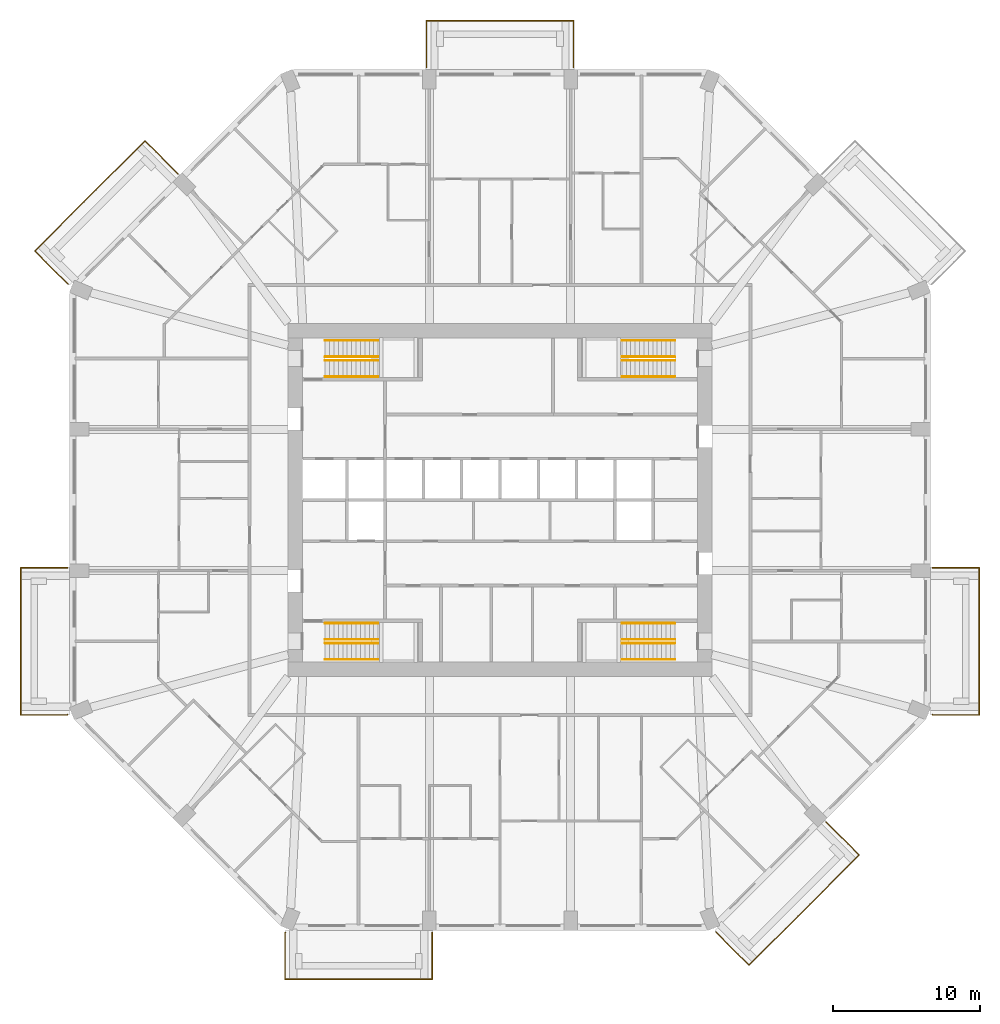
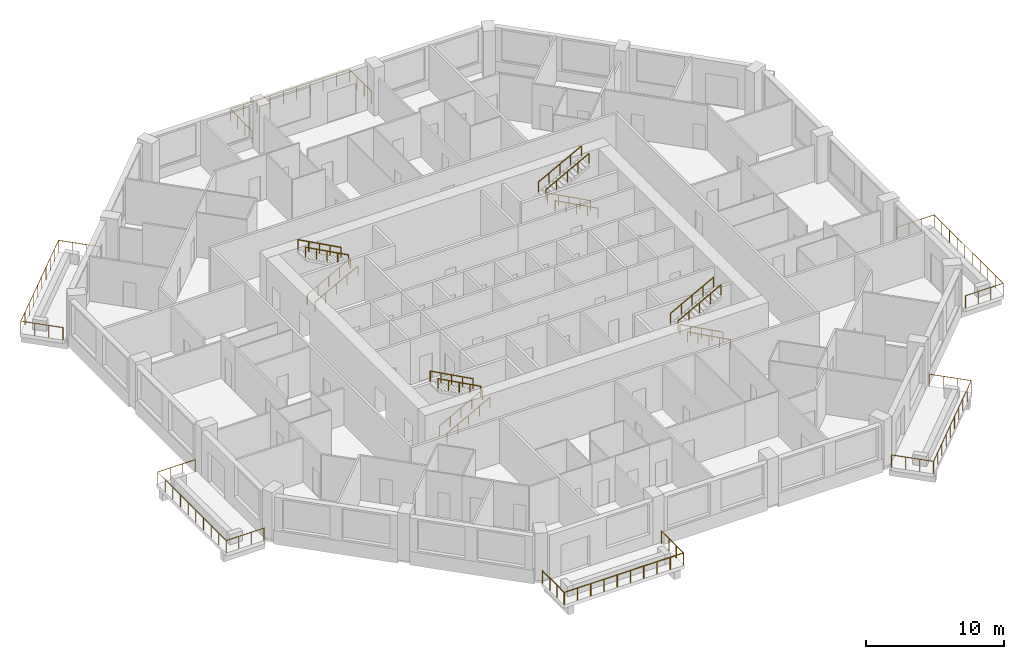
# One storey, part 12 of 13: 22 railings.
"""IFC4 building model written with IfcOpenShell, lengths in metres."""

from ifc_helpers import new_model, si_unit, direction, frame, origin, origin_2d, place, context, subcontext, project, spatial, circle, extrude, material, constituent, constituent_set, type_object, element, save


model = new_model("IFC4")

# Units and contexts
model_context = context("Model", 3, precision=1e-05, world=origin(), true_north=direction((0.0, 1.0)))
body_context = subcontext(model_context, "Body", "Model", "MODEL_VIEW")
ifc_project = project(units=[si_unit("LENGTHUNIT", "METRE"), si_unit("AREAUNIT", "SQUARE_METRE"), si_unit("VOLUMEUNIT", "CUBIC_METRE"), si_unit("PLANEANGLEUNIT", "RADIAN"), si_unit("MASSUNIT", "GRAM", prefix="KILO")], contexts=[model_context])

# Site, building, storey
site_placement = place(None, origin())
site = spatial("IfcSite", under=ifc_project, at=site_placement, CompositionType="ELEMENT")
building_placement = place(site_placement, origin())
building = spatial("IfcBuilding", under=site, at=building_placement, Name="Msitu Wima Residences", CompositionType="ELEMENT")
storey_placement = place(building_placement, frame((0.0, 0.0, 50.699951171875)))
storey = spatial("IfcBuildingStorey", under=building, at=storey_placement, Name="L11", CompositionType="ELEMENT", Elevation=50.699951171875)

# Railings
ifc_material_1 = material(Name="Steel S355", Category="steel")
ifc_constituent_1 = constituent(ifc_material_1, Name="Steel S355")
ifc_material_2 = material(Name="Weathering patina")
ifc_constituent_2 = constituent(ifc_material_2, Name="Weathering patina")
ifc_constituent_set_1 = constituent_set(constituents=[ifc_constituent_1, ifc_constituent_2], Name="Steel S355")
railing_type_1 = type_object("IfcRailingType", Name="Balcony guard GR1100", PredefinedType="GUARDRAIL", material=ifc_constituent_set_1)
railing_1_placement = place(storey_placement, frame((29.3798828125, -4.60009765625, 0.0)))
element("IfcRailing", 1, at=railing_1_placement, inside=storey, type_object=railing_type_1, Name="Balcony guard E0 L11", PredefinedType="GUARDRAIL", context=body_context, shape_type="SweptSolid", body=[
    extrude(circle(Radius=0.02392578125, at=origin_2d()), frame((0.0, 0.0, 1.076171875), z_axis=(1.0, 0.0, 0.0), x_axis=(0.0, 1.0, 0.0)), (0.0, 0.0, 1.0), 3.170166015625),
    extrude(circle(Radius=0.02392578125, at=origin_2d()), frame((3.170166015625, 0.0, 1.076171875), z_axis=(0.0, -1.0, 0.0), x_axis=(1.0, 0.0, 0.0)), (0.0, 0.0, 1.0), 10.0),
    extrude(circle(Radius=0.02392578125, at=origin_2d()), frame((3.170166015625, -10.0, 1.076171875), z_axis=(-1.0, 0.0, 0.0), x_axis=(0.0, -1.0, 0.0)), (0.0, 0.0, 1.0), 3.136474609375),
    extrude(circle(Radius=0.02392578125, at=origin_2d()), frame((0.03369140625, -10.0, 1.076171875), z_axis=(-0.92426142649, 0.38176015442, 0.0), x_axis=(-0.38176015442, -0.92426142649, 0.0)), (0.0, 0.0, 1.0), 0.036376953125),
    extrude(circle(Radius=0.02099609375, at=origin_2d()), origin(), (0.0, 0.0, 1.0), 1.052001953125),
    extrude(circle(Radius=0.02099609375, at=origin_2d()), frame((1.056640625, 0.0, 0.0)), (0.0, 0.0, 1.0), 1.052001953125),
    extrude(circle(Radius=0.02099609375, at=origin_2d()), frame((2.113525390625, 0.0, 0.0)), (0.0, 0.0, 1.0), 1.052001953125),
    extrude(circle(Radius=0.02099609375, at=origin_2d()), frame((3.170166015625, 0.0, 0.0)), (0.0, 0.0, 1.0), 1.052001953125),
    extrude(circle(Radius=0.02099609375, at=origin_2d()), frame((3.170166015625, -1.111083984375, 0.0)), (0.0, 0.0, 1.0), 1.052001953125),
    extrude(circle(Radius=0.02099609375, at=origin_2d()), frame((3.170166015625, -2.22216796875, 0.0)), (0.0, 0.0, 1.0), 1.052001953125),
    extrude(circle(Radius=0.02099609375, at=origin_2d()), frame((3.170166015625, -3.333251953125, 0.0)), (0.0, 0.0, 1.0), 1.052001953125),
    extrude(circle(Radius=0.02099609375, at=origin_2d()), frame((3.170166015625, -4.4443359375, 0.0)), (0.0, 0.0, 1.0), 1.052001953125),
    extrude(circle(Radius=0.02099609375, at=origin_2d()), frame((3.170166015625, -5.5556640625, 0.0)), (0.0, 0.0, 1.0), 1.052001953125),
    extrude(circle(Radius=0.02099609375, at=origin_2d()), frame((3.170166015625, -6.666748046875, 0.0)), (0.0, 0.0, 1.0), 1.052001953125),
    extrude(circle(Radius=0.02099609375, at=origin_2d()), frame((3.170166015625, -7.77783203125, 0.0)), (0.0, 0.0, 1.0), 1.052001953125),
    extrude(circle(Radius=0.02099609375, at=origin_2d()), frame((3.170166015625, -8.888916015625, 0.0)), (0.0, 0.0, 1.0), 1.052001953125),
    extrude(circle(Radius=0.02099609375, at=origin_2d()), frame((3.170166015625, -10.0, 0.0)), (0.0, 0.0, 1.0), 1.052001953125),
    extrude(circle(Radius=0.02099609375, at=origin_2d()), frame((2.124755859375, -10.0, 0.0)), (0.0, 0.0, 1.0), 1.052001953125),
    extrude(circle(Radius=0.02099609375, at=origin_2d()), frame((1.0791015625, -10.0, 0.0)), (0.0, 0.0, 1.0), 1.052001953125),
    extrude(circle(Radius=0.02099609375, at=origin_2d()), frame((0.03369140625, -10.0, 0.0)), (0.0, 0.0, 1.0), 1.052001953125),
    extrude(circle(Radius=0.02099609375, at=origin_2d()), frame((0.0, -9.986083984375, 0.0)), (0.0, 0.0, 1.0), 1.052001953125),
])
railing_2_placement = place(storey_placement, frame((-5.0, 29.3798828125, 0.0)))
element("IfcRailing", 2, at=railing_2_placement, inside=storey, type_object=railing_type_1, Name="Balcony guard N1 L11", PredefinedType="GUARDRAIL", context=body_context, shape_type="SweptSolid", body=[
    extrude(circle(Radius=0.02392578125, at=origin_2d()), frame((0.0, 0.0, 1.076171875), z_axis=(0.0, 1.0, 0.0), x_axis=(-1.0, 0.0, 0.0)), (0.0, 0.0, 1.0), 3.170166015625),
    extrude(circle(Radius=0.02392578125, at=origin_2d()), frame((0.0, 3.170166015625, 1.076171875), z_axis=(1.0, 0.0, 0.0), x_axis=(0.0, 1.0, 0.0)), (0.0, 0.0, 1.0), 10.0),
    extrude(circle(Radius=0.02392578125, at=origin_2d()), frame((10.0, 3.170166015625, 1.076171875), z_axis=(0.0, -1.0, 0.0), x_axis=(1.0, 0.0, 0.0)), (0.0, 0.0, 1.0), 3.170166015625),
    extrude(circle(Radius=0.02099609375, at=origin_2d()), origin(), (0.0, 0.0, 1.0), 1.052001953125),
    extrude(circle(Radius=0.02099609375, at=origin_2d()), frame((0.0, 1.056640625, 0.0)), (0.0, 0.0, 1.0), 1.052001953125),
    extrude(circle(Radius=0.02099609375, at=origin_2d()), frame((0.0, 2.113525390625, 0.0)), (0.0, 0.0, 1.0), 1.052001953125),
    extrude(circle(Radius=0.02099609375, at=origin_2d()), frame((0.0, 3.170166015625, 0.0)), (0.0, 0.0, 1.0), 1.052001953125),
    extrude(circle(Radius=0.02099609375, at=origin_2d()), frame((1.111083984375, 3.170166015625, 0.0)), (0.0, 0.0, 1.0), 1.052001953125),
    extrude(circle(Radius=0.02099609375, at=origin_2d()), frame((2.22216796875, 3.170166015625, 0.0)), (0.0, 0.0, 1.0), 1.052001953125),
    extrude(circle(Radius=0.02099609375, at=origin_2d()), frame((3.333251953125, 3.170166015625, 0.0)), (0.0, 0.0, 1.0), 1.052001953125),
    extrude(circle(Radius=0.02099609375, at=origin_2d()), frame((4.4443359375, 3.170166015625, 0.0)), (0.0, 0.0, 1.0), 1.052001953125),
    extrude(circle(Radius=0.02099609375, at=origin_2d()), frame((5.5556640625, 3.170166015625, 0.0)), (0.0, 0.0, 1.0), 1.052001953125),
    extrude(circle(Radius=0.02099609375, at=origin_2d()), frame((6.666748046875, 3.170166015625, 0.0)), (0.0, 0.0, 1.0), 1.052001953125),
    extrude(circle(Radius=0.02099609375, at=origin_2d()), frame((7.77783203125, 3.170166015625, 0.0)), (0.0, 0.0, 1.0), 1.052001953125),
    extrude(circle(Radius=0.02099609375, at=origin_2d()), frame((8.888916015625, 3.170166015625, 0.0)), (0.0, 0.0, 1.0), 1.052001953125),
    extrude(circle(Radius=0.02099609375, at=origin_2d()), frame((10.0, 3.170166015625, 0.0)), (0.0, 0.0, 1.0), 1.052001953125),
    extrude(circle(Radius=0.02099609375, at=origin_2d()), frame((10.0, 2.113525390625, 0.0)), (0.0, 0.0, 1.0), 1.052001953125),
    extrude(circle(Radius=0.02099609375, at=origin_2d()), frame((10.0, 1.056640625, 0.0)), (0.0, 0.0, 1.0), 1.052001953125),
    extrude(circle(Radius=0.02099609375, at=origin_2d()), frame((10.0, 0.0, 0.0)), (0.0, 0.0, 1.0), 1.052001953125),
])
railing_3_placement = place(storey_placement, frame((-29.341796875, 14.678466796875, 0.0)))
element("IfcRailing", 3, at=railing_3_placement, inside=storey, type_object=railing_type_1, Name="Balcony guard NW1 L11", PredefinedType="GUARDRAIL", context=body_context, shape_type="SweptSolid", body=[
    extrude(circle(Radius=0.02392578125, at=origin_2d()), frame((0.0, 0.0, 1.076171875), z_axis=(-0.923276184907, 0.384136806859, 0.0), x_axis=(-0.384136806859, -0.923276184907, 0.0)), (0.0, 0.0, 1.0), 0.0361328125),
    extrude(circle(Radius=0.02392578125, at=origin_2d()), frame((-0.033447265625, 0.013916015625, 1.076171875), z_axis=(-0.707106781187, 0.707106781187, 0.0), x_axis=(-0.707106781187, -0.707106781187, 0.0)), (0.0, 0.0, 1.0), 3.136474609375),
    extrude(circle(Radius=0.02392578125, at=origin_2d()), frame((-2.251220703125, 2.231689453125, 1.076171875), z_axis=(0.70709524572, 0.707118316465, 0.0), x_axis=(-0.707118316465, 0.70709524572, 0.0)), (0.0, 0.0, 1.0), 10.582275390625),
    extrude(circle(Radius=0.02392578125, at=origin_2d()), frame((5.2314453125, 9.714599609375, 1.076171875), z_axis=(0.707145287287, -0.707068272989, 0.0), x_axis=(0.707068272989, 0.707145287287, 0.0)), (0.0, 0.0, 1.0), 3.170166015625),
    extrude(circle(Radius=0.02099609375, at=origin_2d()), origin(), (0.0, 0.0, 1.0), 1.052001953125),
    extrude(circle(Radius=0.02099609375, at=origin_2d()), frame((-0.033447265625, 0.013916015625, 0.0)), (0.0, 0.0, 1.0), 1.052001953125),
    extrude(circle(Radius=0.02099609375, at=origin_2d()), frame((-0.772705078125, 0.753173828125, 0.0)), (0.0, 0.0, 1.0), 1.052001953125),
    extrude(circle(Radius=0.02099609375, at=origin_2d()), frame((-1.511962890625, 1.492431640625, 0.0)), (0.0, 0.0, 1.0), 1.052001953125),
    extrude(circle(Radius=0.02099609375, at=origin_2d()), frame((-2.251220703125, 2.231689453125, 0.0)), (0.0, 0.0, 1.0), 1.052001953125),
    extrude(circle(Radius=0.02099609375, at=origin_2d()), frame((-1.419921875, 3.063232421875, 0.0)), (0.0, 0.0, 1.0), 1.052001953125),
    extrude(circle(Radius=0.02099609375, at=origin_2d()), frame((-0.58837890625, 3.89453125, 0.0)), (0.0, 0.0, 1.0), 1.052001953125),
    extrude(circle(Radius=0.02099609375, at=origin_2d()), frame((0.242919921875, 4.72607421875, 0.0)), (0.0, 0.0, 1.0), 1.052001953125),
    extrude(circle(Radius=0.02099609375, at=origin_2d()), frame((1.074462890625, 5.557373046875, 0.0)), (0.0, 0.0, 1.0), 1.052001953125),
    extrude(circle(Radius=0.02099609375, at=origin_2d()), frame((1.90576171875, 6.388916015625, 0.0)), (0.0, 0.0, 1.0), 1.052001953125),
    extrude(circle(Radius=0.02099609375, at=origin_2d()), frame((2.7373046875, 7.22021484375, 0.0)), (0.0, 0.0, 1.0), 1.052001953125),
    extrude(circle(Radius=0.02099609375, at=origin_2d()), frame((3.568603515625, 8.0517578125, 0.0)), (0.0, 0.0, 1.0), 1.052001953125),
    extrude(circle(Radius=0.02099609375, at=origin_2d()), frame((4.400146484375, 8.883056640625, 0.0)), (0.0, 0.0, 1.0), 1.052001953125),
    extrude(circle(Radius=0.02099609375, at=origin_2d()), frame((5.2314453125, 9.714599609375, 0.0)), (0.0, 0.0, 1.0), 1.052001953125),
    extrude(circle(Radius=0.02099609375, at=origin_2d()), frame((5.978759765625, 8.967529296875, 0.0)), (0.0, 0.0, 1.0), 1.052001953125),
    extrude(circle(Radius=0.02099609375, at=origin_2d()), frame((6.725830078125, 8.22021484375, 0.0)), (0.0, 0.0, 1.0), 1.052001953125),
    extrude(circle(Radius=0.02099609375, at=origin_2d()), frame((7.47314453125, 7.47314453125, 0.0)), (0.0, 0.0, 1.0), 1.052001953125),
])
railing_4_placement = place(storey_placement, frame((-29.3798828125, -14.586181640625, 0.0)))
element("IfcRailing", 4, at=railing_4_placement, inside=storey, type_object=railing_type_1, Name="Balcony guard W2 L11", PredefinedType="GUARDRAIL", context=body_context, shape_type="SweptSolid", body=[
    extrude(circle(Radius=0.02392578125, at=origin_2d()), frame((0.0, 0.0, 1.076171875), z_axis=(-0.92426142649, -0.38176015442, 0.0), x_axis=(0.38176015442, -0.92426142649, 0.0)), (0.0, 0.0, 1.0), 0.036376953125),
    extrude(circle(Radius=0.02392578125, at=origin_2d()), frame((-0.03369140625, -0.013916015625, 1.076171875), z_axis=(-1.0, 0.0, 0.0), x_axis=(0.0, -1.0, 0.0)), (0.0, 0.0, 1.0), 3.136474609375),
    extrude(circle(Radius=0.02392578125, at=origin_2d()), frame((-3.170166015625, -0.013916015625, 1.076171875), z_axis=(0.0, 1.0, 0.0), x_axis=(-1.0, 0.0, 0.0)), (0.0, 0.0, 1.0), 10.0),
    extrude(circle(Radius=0.02392578125, at=origin_2d()), frame((-3.170166015625, 9.986083984375, 1.076171875), z_axis=(1.0, 0.0, 0.0), x_axis=(0.0, 1.0, 0.0)), (0.0, 0.0, 1.0), 3.170166015625),
    extrude(circle(Radius=0.02099609375, at=origin_2d()), origin(), (0.0, 0.0, 1.0), 1.052001953125),
    extrude(circle(Radius=0.02099609375, at=origin_2d()), frame((-0.03369140625, -0.013916015625, 0.0)), (0.0, 0.0, 1.0), 1.052001953125),
    extrude(circle(Radius=0.02099609375, at=origin_2d()), frame((-1.0791015625, -0.013916015625, 0.0)), (0.0, 0.0, 1.0), 1.052001953125),
    extrude(circle(Radius=0.02099609375, at=origin_2d()), frame((-2.124755859375, -0.013916015625, 0.0)), (0.0, 0.0, 1.0), 1.052001953125),
    extrude(circle(Radius=0.02099609375, at=origin_2d()), frame((-3.170166015625, -0.013916015625, 0.0)), (0.0, 0.0, 1.0), 1.052001953125),
    extrude(circle(Radius=0.02099609375, at=origin_2d()), frame((-3.170166015625, 1.09716796875, 0.0)), (0.0, 0.0, 1.0), 1.052001953125),
    extrude(circle(Radius=0.02099609375, at=origin_2d()), frame((-3.170166015625, 2.208251953125, 0.0)), (0.0, 0.0, 1.0), 1.052001953125),
    extrude(circle(Radius=0.02099609375, at=origin_2d()), frame((-3.170166015625, 3.3193359375, 0.0)), (0.0, 0.0, 1.0), 1.052001953125),
    extrude(circle(Radius=0.02099609375, at=origin_2d()), frame((-3.170166015625, 4.430419921875, 0.0)), (0.0, 0.0, 1.0), 1.052001953125),
    extrude(circle(Radius=0.02099609375, at=origin_2d()), frame((-3.170166015625, 5.541748046875, 0.0)), (0.0, 0.0, 1.0), 1.052001953125),
    extrude(circle(Radius=0.02099609375, at=origin_2d()), frame((-3.170166015625, 6.65283203125, 0.0)), (0.0, 0.0, 1.0), 1.052001953125),
    extrude(circle(Radius=0.02099609375, at=origin_2d()), frame((-3.170166015625, 7.763916015625, 0.0)), (0.0, 0.0, 1.0), 1.052001953125),
    extrude(circle(Radius=0.02099609375, at=origin_2d()), frame((-3.170166015625, 8.875, 0.0)), (0.0, 0.0, 1.0), 1.052001953125),
    extrude(circle(Radius=0.02099609375, at=origin_2d()), frame((-3.170166015625, 9.986083984375, 0.0)), (0.0, 0.0, 1.0), 1.052001953125),
    extrude(circle(Radius=0.02099609375, at=origin_2d()), frame((-2.113525390625, 9.986083984375, 0.0)), (0.0, 0.0, 1.0), 1.052001953125),
    extrude(circle(Radius=0.02099609375, at=origin_2d()), frame((-1.056640625, 9.986083984375, 0.0)), (0.0, 0.0, 1.0), 1.052001953125),
    extrude(circle(Radius=0.02099609375, at=origin_2d()), frame((0.0, 9.986083984375, 0.0)), (0.0, 0.0, 1.0), 1.052001953125),
])
railing_5_placement = place(storey_placement, frame((-4.60009765625, -29.3798828125, 0.0)))
element("IfcRailing", 5, at=railing_5_placement, inside=storey, type_object=railing_type_1, Name="Balcony guard S0 L11", PredefinedType="GUARDRAIL", context=body_context, shape_type="SweptSolid", body=[
    extrude(circle(Radius=0.02392578125, at=origin_2d()), frame((0.0, 0.0, 1.076171875), z_axis=(0.0, -1.0, 0.0), x_axis=(1.0, 0.0, 0.0)), (0.0, 0.0, 1.0), 3.170166015625),
    extrude(circle(Radius=0.02392578125, at=origin_2d()), frame((0.0, -3.170166015625, 1.076171875), z_axis=(-1.0, 0.0, 0.0), x_axis=(0.0, -1.0, 0.0)), (0.0, 0.0, 1.0), 10.0),
    extrude(circle(Radius=0.02392578125, at=origin_2d()), frame((-10.0, -3.170166015625, 1.076171875), z_axis=(0.0, 1.0, 0.0), x_axis=(-1.0, 0.0, 0.0)), (0.0, 0.0, 1.0), 3.136474609375),
    extrude(circle(Radius=0.02392578125, at=origin_2d()), frame((-10.0, -0.03369140625, 1.076171875), z_axis=(0.38176015442, 0.92426142649, 0.0), x_axis=(-0.92426142649, 0.38176015442, 0.0)), (0.0, 0.0, 1.0), 0.036376953125),
    extrude(circle(Radius=0.02099609375, at=origin_2d()), origin(), (0.0, 0.0, 1.0), 1.052001953125),
    extrude(circle(Radius=0.02099609375, at=origin_2d()), frame((0.0, -1.056640625, 0.0)), (0.0, 0.0, 1.0), 1.052001953125),
    extrude(circle(Radius=0.02099609375, at=origin_2d()), frame((0.0, -2.113525390625, 0.0)), (0.0, 0.0, 1.0), 1.052001953125),
    extrude(circle(Radius=0.02099609375, at=origin_2d()), frame((0.0, -3.170166015625, 0.0)), (0.0, 0.0, 1.0), 1.052001953125),
    extrude(circle(Radius=0.02099609375, at=origin_2d()), frame((-1.111083984375, -3.170166015625, 0.0)), (0.0, 0.0, 1.0), 1.052001953125),
    extrude(circle(Radius=0.02099609375, at=origin_2d()), frame((-2.22216796875, -3.170166015625, 0.0)), (0.0, 0.0, 1.0), 1.052001953125),
    extrude(circle(Radius=0.02099609375, at=origin_2d()), frame((-3.333251953125, -3.170166015625, 0.0)), (0.0, 0.0, 1.0), 1.052001953125),
    extrude(circle(Radius=0.02099609375, at=origin_2d()), frame((-4.4443359375, -3.170166015625, 0.0)), (0.0, 0.0, 1.0), 1.052001953125),
    extrude(circle(Radius=0.02099609375, at=origin_2d()), frame((-5.5556640625, -3.170166015625, 0.0)), (0.0, 0.0, 1.0), 1.052001953125),
    extrude(circle(Radius=0.02099609375, at=origin_2d()), frame((-6.666748046875, -3.170166015625, 0.0)), (0.0, 0.0, 1.0), 1.052001953125),
    extrude(circle(Radius=0.02099609375, at=origin_2d()), frame((-7.77783203125, -3.170166015625, 0.0)), (0.0, 0.0, 1.0), 1.052001953125),
    extrude(circle(Radius=0.02099609375, at=origin_2d()), frame((-8.888916015625, -3.170166015625, 0.0)), (0.0, 0.0, 1.0), 1.052001953125),
    extrude(circle(Radius=0.02099609375, at=origin_2d()), frame((-10.0, -3.170166015625, 0.0)), (0.0, 0.0, 1.0), 1.052001953125),
    extrude(circle(Radius=0.02099609375, at=origin_2d()), frame((-10.0, -2.124755859375, 0.0)), (0.0, 0.0, 1.0), 1.052001953125),
    extrude(circle(Radius=0.02099609375, at=origin_2d()), frame((-10.0, -1.0791015625, 0.0)), (0.0, 0.0, 1.0), 1.052001953125),
    extrude(circle(Radius=0.02099609375, at=origin_2d()), frame((-10.0, -0.03369140625, 0.0)), (0.0, 0.0, 1.0), 1.052001953125),
    extrude(circle(Radius=0.02099609375, at=origin_2d()), frame((-9.986083984375, 0.0, 0.0)), (0.0, 0.0, 1.0), 1.052001953125),
])
railing_6_placement = place(storey_placement, frame((22.151611328125, -21.86865234375, 0.0)))
element("IfcRailing", 6, at=railing_6_placement, inside=storey, type_object=railing_type_1, Name="Balcony guard SE0 L11", PredefinedType="GUARDRAIL", context=body_context, shape_type="SweptSolid", body=[
    extrude(circle(Radius=0.02392578125, at=origin_2d()), frame((0.0, 0.0, 1.076171875), z_axis=(0.707068272989, -0.707145287287, 0.0), x_axis=(0.707145287287, 0.707068272989, 0.0)), (0.0, 0.0, 1.0), 3.170166015625),
    extrude(circle(Radius=0.02392578125, at=origin_2d()), frame((2.241455078125, -2.24169921875, 1.076171875), z_axis=(-0.707118316465, -0.70709524572, 0.0), x_axis=(0.70709524572, -0.707118316465, 0.0)), (0.0, 0.0, 1.0), 10.582275390625),
    extrude(circle(Radius=0.02392578125, at=origin_2d()), frame((-5.241455078125, -9.724365234375, 1.076171875), z_axis=(-0.707106781187, 0.707106781187, 0.0), x_axis=(-0.707106781187, -0.707106781187, 0.0)), (0.0, 0.0, 1.0), 3.136474609375),
    extrude(circle(Radius=0.02392578125, at=origin_2d()), frame((-7.459228515625, -7.506591796875, 1.076171875), z_axis=(-0.384136806859, 0.923276184907, 0.0), x_axis=(-0.923276184907, -0.384136806859, 0.0)), (0.0, 0.0, 1.0), 0.0361328125),
    extrude(circle(Radius=0.02099609375, at=origin_2d()), origin(), (0.0, 0.0, 1.0), 1.052001953125),
    extrude(circle(Radius=0.02099609375, at=origin_2d()), frame((0.7470703125, -0.747314453125, 0.0)), (0.0, 0.0, 1.0), 1.052001953125),
    extrude(circle(Radius=0.02099609375, at=origin_2d()), frame((1.494384765625, -1.494384765625, 0.0)), (0.0, 0.0, 1.0), 1.052001953125),
    extrude(circle(Radius=0.02099609375, at=origin_2d()), frame((2.241455078125, -2.24169921875, 0.0)), (0.0, 0.0, 1.0), 1.052001953125),
    extrude(circle(Radius=0.02099609375, at=origin_2d()), frame((1.409912109375, -3.072998046875, 0.0)), (0.0, 0.0, 1.0), 1.052001953125),
    extrude(circle(Radius=0.02099609375, at=origin_2d()), frame((0.57861328125, -3.904541015625, 0.0)), (0.0, 0.0, 1.0), 1.052001953125),
    extrude(circle(Radius=0.02099609375, at=origin_2d()), frame((-0.2529296875, -4.73583984375, 0.0)), (0.0, 0.0, 1.0), 1.052001953125),
    extrude(circle(Radius=0.02099609375, at=origin_2d()), frame((-1.084228515625, -5.5673828125, 0.0)), (0.0, 0.0, 1.0), 1.052001953125),
    extrude(circle(Radius=0.02099609375, at=origin_2d()), frame((-1.915771484375, -6.398681640625, 0.0)), (0.0, 0.0, 1.0), 1.052001953125),
    extrude(circle(Radius=0.02099609375, at=origin_2d()), frame((-2.7470703125, -7.230224609375, 0.0)), (0.0, 0.0, 1.0), 1.052001953125),
    extrude(circle(Radius=0.02099609375, at=origin_2d()), frame((-3.57861328125, -8.0615234375, 0.0)), (0.0, 0.0, 1.0), 1.052001953125),
    extrude(circle(Radius=0.02099609375, at=origin_2d()), frame((-4.409912109375, -8.89306640625, 0.0)), (0.0, 0.0, 1.0), 1.052001953125),
    extrude(circle(Radius=0.02099609375, at=origin_2d()), frame((-5.241455078125, -9.724365234375, 0.0)), (0.0, 0.0, 1.0), 1.052001953125),
    extrude(circle(Radius=0.02099609375, at=origin_2d()), frame((-5.980712890625, -8.985107421875, 0.0)), (0.0, 0.0, 1.0), 1.052001953125),
    extrude(circle(Radius=0.02099609375, at=origin_2d()), frame((-6.719970703125, -8.245849609375, 0.0)), (0.0, 0.0, 1.0), 1.052001953125),
    extrude(circle(Radius=0.02099609375, at=origin_2d()), frame((-7.459228515625, -7.506591796875, 0.0)), (0.0, 0.0, 1.0), 1.052001953125),
    extrude(circle(Radius=0.02099609375, at=origin_2d()), frame((-7.47314453125, -7.47314453125, 0.0)), (0.0, 0.0, 1.0), 1.052001953125),
])
ifc_constituent_3 = constituent(ifc_material_1, Name="Steel S355")
ifc_material_3 = material(Name="Black powder coating")
ifc_constituent_4 = constituent(ifc_material_3, Name="Black powder coating")
ifc_constituent_set_2 = constituent_set(constituents=[ifc_constituent_3, ifc_constituent_4], Name="Steel S355")
railing_type_2 = type_object("IfcRailingType", Name="Stair handrail HR1", PredefinedType="HANDRAIL", material=ifc_constituent_set_2)
for number, where, name in (
    (7, (-11.875, 8.375, 0.16162109375), "Stair 1 handrail"),
    (8, (-11.875, 9.47509765625, 0.16162109375), "Stair 1 handrail"),
):
    element("IfcRailing", number, at=place(storey_placement, frame(where)), inside=storey, type_object=railing_type_2, Name=name, PredefinedType="HANDRAIL", context=body_context, shape_type="SweptSolid", body=[
        extrude(circle(Radius=0.02392578125, at=origin_2d()), frame((0.0, 0.0, 0.8759765625), z_axis=(0.880474934443, 0.0, 0.474092701714), x_axis=(0.0, 1.0, 0.0)), (0.0, 0.0, 1.0), 4.0888671875),
        extrude(circle(Radius=0.02099609375, at=origin_2d()), origin(), (0.0, 0.0, 1.0), 0.851806640625),
        extrude(circle(Radius=0.02099609375, at=origin_2d()), frame((0.89990234375, 0.0, 0.484619140625)), (0.0, 0.0, 1.0), 0.851806640625),
        extrude(circle(Radius=0.02099609375, at=origin_2d()), frame((1.800048828125, 0.0, 0.96923828125)), (0.0, 0.0, 1.0), 0.851806640625),
        extrude(circle(Radius=0.02099609375, at=origin_2d()), frame((2.7001953125, 0.0, 1.453857421875)), (0.0, 0.0, 1.0), 0.851806640625),
        extrude(circle(Radius=0.02099609375, at=origin_2d()), frame((3.60009765625, 0.0, 1.9384765625)), (0.0, 0.0, 1.0), 0.851806640625),
    ])
for number, where, name in (
    (9, (-8.27490234375, 9.72509765625, 2.261474609375), "Stair 1 handrail"),
    (10, (-8.27490234375, 10.824951171875, 2.261474609375), "Stair 1 handrail"),
):
    element("IfcRailing", number, at=place(storey_placement, frame(where)), inside=storey, type_object=railing_type_2, Name=name, PredefinedType="HANDRAIL", context=body_context, shape_type="SweptSolid", body=[
        extrude(circle(Radius=0.02392578125, at=origin_2d()), frame((0.0, 0.0, 0.8759765625), z_axis=(-0.880474934443, 0.0, 0.474092701714), x_axis=(0.0, -1.0, 0.0)), (0.0, 0.0, 1.0), 4.0888671875),
        extrude(circle(Radius=0.02099609375, at=origin_2d()), origin(), (0.0, 0.0, 1.0), 0.851806640625),
        extrude(circle(Radius=0.02099609375, at=origin_2d()), frame((-0.89990234375, 0.0, 0.484619140625)), (0.0, 0.0, 1.0), 0.851806640625),
        extrude(circle(Radius=0.02099609375, at=origin_2d()), frame((-1.800048828125, 0.0, 0.96923828125)), (0.0, 0.0, 1.0), 0.851806640625),
        extrude(circle(Radius=0.02099609375, at=origin_2d()), frame((-2.7001953125, 0.0, 1.453857421875)), (0.0, 0.0, 1.0), 0.851806640625),
        extrude(circle(Radius=0.02099609375, at=origin_2d()), frame((-3.60009765625, 0.0, 1.9384765625)), (0.0, 0.0, 1.0), 0.851806640625),
    ])
for number, where, name in (
    (11, (-11.875, -10.824951171875, 0.16162109375), "Stair 2 handrail"),
    (12, (-11.875, -9.72509765625, 0.16162109375), "Stair 2 handrail"),
):
    element("IfcRailing", number, at=place(storey_placement, frame(where)), inside=storey, type_object=railing_type_2, Name=name, PredefinedType="HANDRAIL", context=body_context, shape_type="SweptSolid", body=[
        extrude(circle(Radius=0.02392578125, at=origin_2d()), frame((0.0, 0.0, 0.8759765625), z_axis=(0.880474934443, 0.0, 0.474092701714), x_axis=(0.0, 1.0, 0.0)), (0.0, 0.0, 1.0), 4.0888671875),
        extrude(circle(Radius=0.02099609375, at=origin_2d()), origin(), (0.0, 0.0, 1.0), 0.851806640625),
        extrude(circle(Radius=0.02099609375, at=origin_2d()), frame((0.89990234375, 0.0, 0.484619140625)), (0.0, 0.0, 1.0), 0.851806640625),
        extrude(circle(Radius=0.02099609375, at=origin_2d()), frame((1.800048828125, 0.0, 0.96923828125)), (0.0, 0.0, 1.0), 0.851806640625),
        extrude(circle(Radius=0.02099609375, at=origin_2d()), frame((2.7001953125, 0.0, 1.453857421875)), (0.0, 0.0, 1.0), 0.851806640625),
        extrude(circle(Radius=0.02099609375, at=origin_2d()), frame((3.60009765625, 0.0, 1.9384765625)), (0.0, 0.0, 1.0), 0.851806640625),
    ])
for number, where, name in (
    (13, (-8.27490234375, -9.47509765625, 2.261474609375), "Stair 2 handrail"),
    (14, (-8.27490234375, -8.375, 2.261474609375), "Stair 2 handrail"),
    (15, (11.875, 8.375, 0.16162109375), "Stair 3 handrail"),
    (16, (11.875, 9.47509765625, 0.16162109375), "Stair 3 handrail"),
):
    element("IfcRailing", number, at=place(storey_placement, frame(where)), inside=storey, type_object=railing_type_2, Name=name, PredefinedType="HANDRAIL", context=body_context, shape_type="SweptSolid", body=[
        extrude(circle(Radius=0.02392578125, at=origin_2d()), frame((0.0, 0.0, 0.8759765625), z_axis=(-0.880474934443, 0.0, 0.474092701714), x_axis=(0.0, -1.0, 0.0)), (0.0, 0.0, 1.0), 4.0888671875),
        extrude(circle(Radius=0.02099609375, at=origin_2d()), origin(), (0.0, 0.0, 1.0), 0.851806640625),
        extrude(circle(Radius=0.02099609375, at=origin_2d()), frame((-0.89990234375, 0.0, 0.484619140625)), (0.0, 0.0, 1.0), 0.851806640625),
        extrude(circle(Radius=0.02099609375, at=origin_2d()), frame((-1.800048828125, 0.0, 0.96923828125)), (0.0, 0.0, 1.0), 0.851806640625),
        extrude(circle(Radius=0.02099609375, at=origin_2d()), frame((-2.7001953125, 0.0, 1.453857421875)), (0.0, 0.0, 1.0), 0.851806640625),
        extrude(circle(Radius=0.02099609375, at=origin_2d()), frame((-3.60009765625, 0.0, 1.9384765625)), (0.0, 0.0, 1.0), 0.851806640625),
    ])
for number, where, name in (
    (17, (8.27490234375, 9.72509765625, 2.261474609375), "Stair 3 handrail"),
    (18, (8.27490234375, 10.824951171875, 2.261474609375), "Stair 3 handrail"),
):
    element("IfcRailing", number, at=place(storey_placement, frame(where)), inside=storey, type_object=railing_type_2, Name=name, PredefinedType="HANDRAIL", context=body_context, shape_type="SweptSolid", body=[
        extrude(circle(Radius=0.02392578125, at=origin_2d()), frame((0.0, 0.0, 0.8759765625), z_axis=(0.880474934443, 0.0, 0.474092701714), x_axis=(0.0, 1.0, 0.0)), (0.0, 0.0, 1.0), 4.0888671875),
        extrude(circle(Radius=0.02099609375, at=origin_2d()), origin(), (0.0, 0.0, 1.0), 0.851806640625),
        extrude(circle(Radius=0.02099609375, at=origin_2d()), frame((0.89990234375, 0.0, 0.484619140625)), (0.0, 0.0, 1.0), 0.851806640625),
        extrude(circle(Radius=0.02099609375, at=origin_2d()), frame((1.800048828125, 0.0, 0.96923828125)), (0.0, 0.0, 1.0), 0.851806640625),
        extrude(circle(Radius=0.02099609375, at=origin_2d()), frame((2.7001953125, 0.0, 1.453857421875)), (0.0, 0.0, 1.0), 0.851806640625),
        extrude(circle(Radius=0.02099609375, at=origin_2d()), frame((3.60009765625, 0.0, 1.9384765625)), (0.0, 0.0, 1.0), 0.851806640625),
    ])
for number, where, name in (
    (19, (11.875, -10.824951171875, 0.16162109375), "Stair 4 handrail"),
    (20, (11.875, -9.72509765625, 0.16162109375), "Stair 4 handrail"),
):
    element("IfcRailing", number, at=place(storey_placement, frame(where)), inside=storey, type_object=railing_type_2, Name=name, PredefinedType="HANDRAIL", context=body_context, shape_type="SweptSolid", body=[
        extrude(circle(Radius=0.02392578125, at=origin_2d()), frame((0.0, 0.0, 0.8759765625), z_axis=(-0.880474934443, 0.0, 0.474092701714), x_axis=(0.0, -1.0, 0.0)), (0.0, 0.0, 1.0), 4.0888671875),
        extrude(circle(Radius=0.02099609375, at=origin_2d()), origin(), (0.0, 0.0, 1.0), 0.851806640625),
        extrude(circle(Radius=0.02099609375, at=origin_2d()), frame((-0.89990234375, 0.0, 0.484619140625)), (0.0, 0.0, 1.0), 0.851806640625),
        extrude(circle(Radius=0.02099609375, at=origin_2d()), frame((-1.800048828125, 0.0, 0.96923828125)), (0.0, 0.0, 1.0), 0.851806640625),
        extrude(circle(Radius=0.02099609375, at=origin_2d()), frame((-2.7001953125, 0.0, 1.453857421875)), (0.0, 0.0, 1.0), 0.851806640625),
        extrude(circle(Radius=0.02099609375, at=origin_2d()), frame((-3.60009765625, 0.0, 1.9384765625)), (0.0, 0.0, 1.0), 0.851806640625),
    ])
for number, where, name in (
    (21, (8.27490234375, -9.47509765625, 2.261474609375), "Stair 4 handrail"),
    (22, (8.27490234375, -8.375, 2.261474609375), "Stair 4 handrail"),
):
    element("IfcRailing", number, at=place(storey_placement, frame(where)), inside=storey, type_object=railing_type_2, Name=name, PredefinedType="HANDRAIL", context=body_context, shape_type="SweptSolid", body=[
        extrude(circle(Radius=0.02392578125, at=origin_2d()), frame((0.0, 0.0, 0.8759765625), z_axis=(0.880474934443, 0.0, 0.474092701714), x_axis=(0.0, 1.0, 0.0)), (0.0, 0.0, 1.0), 4.0888671875),
        extrude(circle(Radius=0.02099609375, at=origin_2d()), origin(), (0.0, 0.0, 1.0), 0.851806640625),
        extrude(circle(Radius=0.02099609375, at=origin_2d()), frame((0.89990234375, 0.0, 0.484619140625)), (0.0, 0.0, 1.0), 0.851806640625),
        extrude(circle(Radius=0.02099609375, at=origin_2d()), frame((1.800048828125, 0.0, 0.96923828125)), (0.0, 0.0, 1.0), 0.851806640625),
        extrude(circle(Radius=0.02099609375, at=origin_2d()), frame((2.7001953125, 0.0, 1.453857421875)), (0.0, 0.0, 1.0), 0.851806640625),
        extrude(circle(Radius=0.02099609375, at=origin_2d()), frame((3.60009765625, 0.0, 1.9384765625)), (0.0, 0.0, 1.0), 0.851806640625),
    ])

save(model, "model.ifc")
